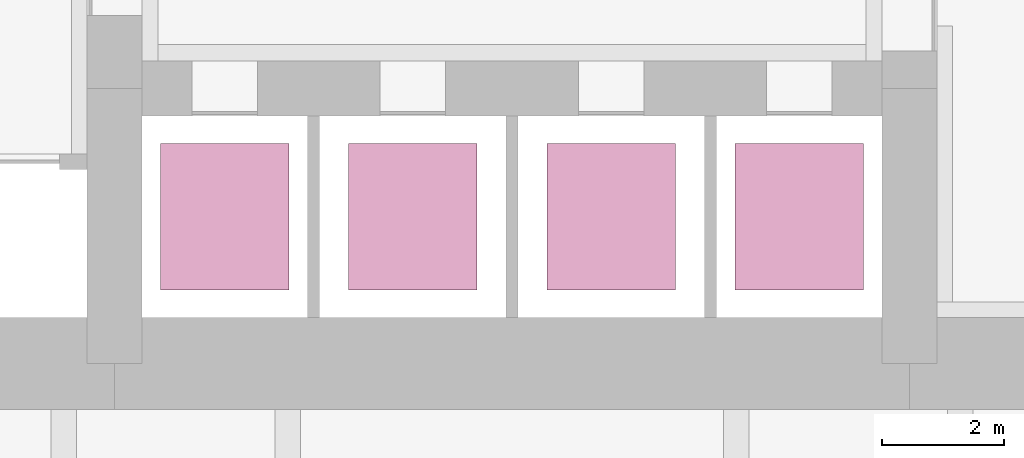
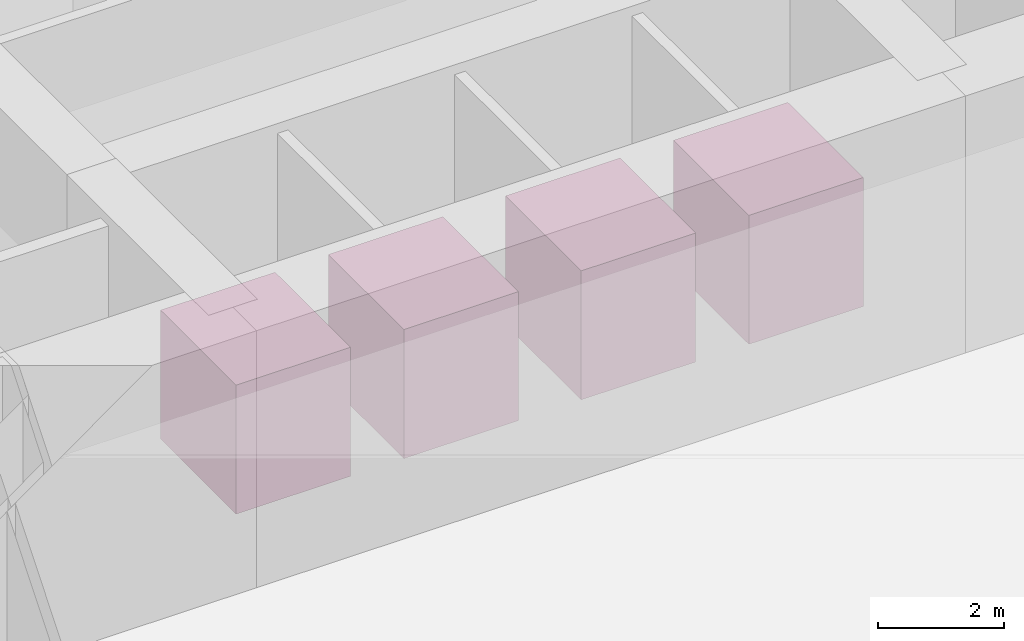
# One storey, part 11 of 11: 4 transport elements.
"""IFC4 building model written with IfcOpenShell, lengths in metres."""

from ifc_helpers import new_model, si_unit, direction, frame, origin, origin_2d, place, context, subcontext, project, spatial, rectangle, extrude, material, type_object, element, save


model = new_model("IFC4")

# Units and contexts
model_context = context("Model", 3, precision=1e-05, world=origin(), true_north=direction((0.0, 1.0)))
body_context = subcontext(model_context, "Body", "Model", "MODEL_VIEW")
ifc_project = project(units=[si_unit("LENGTHUNIT", "METRE"), si_unit("AREAUNIT", "SQUARE_METRE"), si_unit("VOLUMEUNIT", "CUBIC_METRE"), si_unit("PLANEANGLEUNIT", "RADIAN"), si_unit("MASSUNIT", "GRAM", prefix="KILO")], contexts=[model_context])

# Site, building, storey
site_placement = place(None, origin())
site = spatial("IfcSite", under=ifc_project, at=site_placement, CompositionType="ELEMENT")
building_placement = place(site_placement, origin())
building = spatial("IfcBuilding", under=site, at=building_placement, Name="Trevanion Tower", CompositionType="ELEMENT")
storey_placement = place(building_placement, frame((0.0, 0.0, 95.800048828125)))
storey = spatial("IfcBuildingStorey", under=building, at=storey_placement, Name="L22", CompositionType="ELEMENT", Elevation=95.800048828125)

# Transport elements
ifc_material = material(Name="Steel car, stainless steel finish", Category="steel")
transport_element_type = type_object("IfcTransportElementType", Name="LF-C mid-rise lift", PredefinedType="ELEVATOR", material=ifc_material)
for number, where, z_axis, x_axis, name in (
    (1, (-4.699951171875, -8.60009765625, 0.0), (0.0, 0.0, 1.0), (1.0, 0.0, 0.0), "C1 mid-rise lift"),
    (2, (-1.625, -8.60009765625, 0.0), (0.0, 0.0, 1.0), (1.0, 0.0, 0.0), "C2 mid-rise lift"),
    (3, (1.625, -8.60009765625, 0.0), (0.0, 0.0, 1.0), (1.0, 0.0, 0.0), "C3 mid-rise lift"),
    (4, (4.699951171875, -8.60009765625, 0.0), (0.0, 0.0, 1.0), (1.0, 0.0, 0.0), "C4 mid-rise lift"),
):
    element("IfcTransportElement", number, at=place(storey_placement, frame(where, z_axis=z_axis, x_axis=x_axis)), inside=storey, type_object=transport_element_type, Name=name, PredefinedType="ELEVATOR", context=body_context, shape_type="SweptSolid", body=[
        extrude(rectangle(XDim=2.10009765625, YDim=2.39990234375, at=origin_2d()), origin(), (0.0, 0.0, 1.0), 2.5),
    ])

save(model, "model.ifc")
